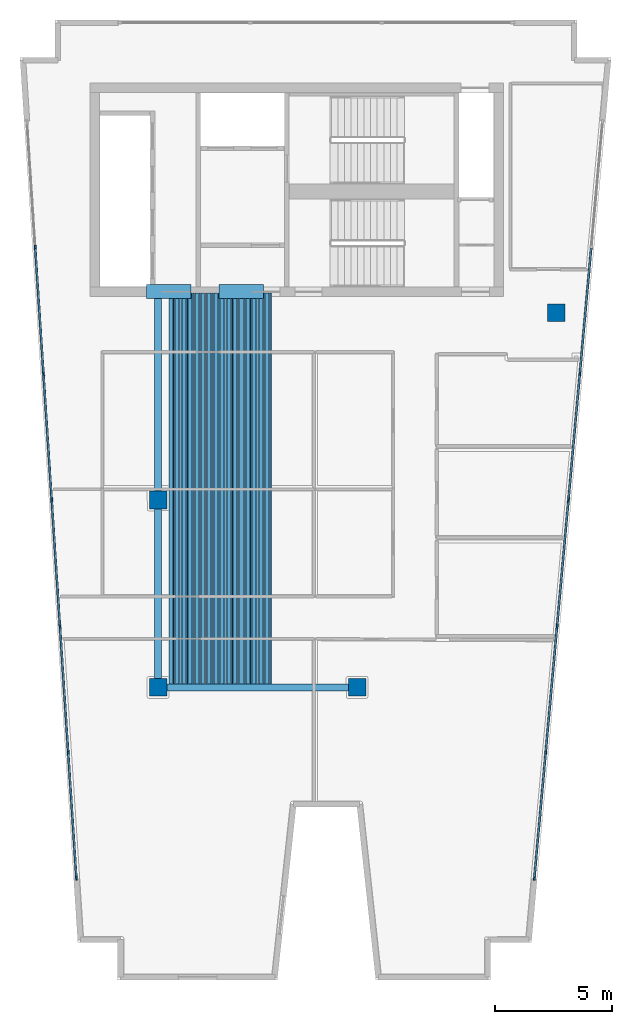
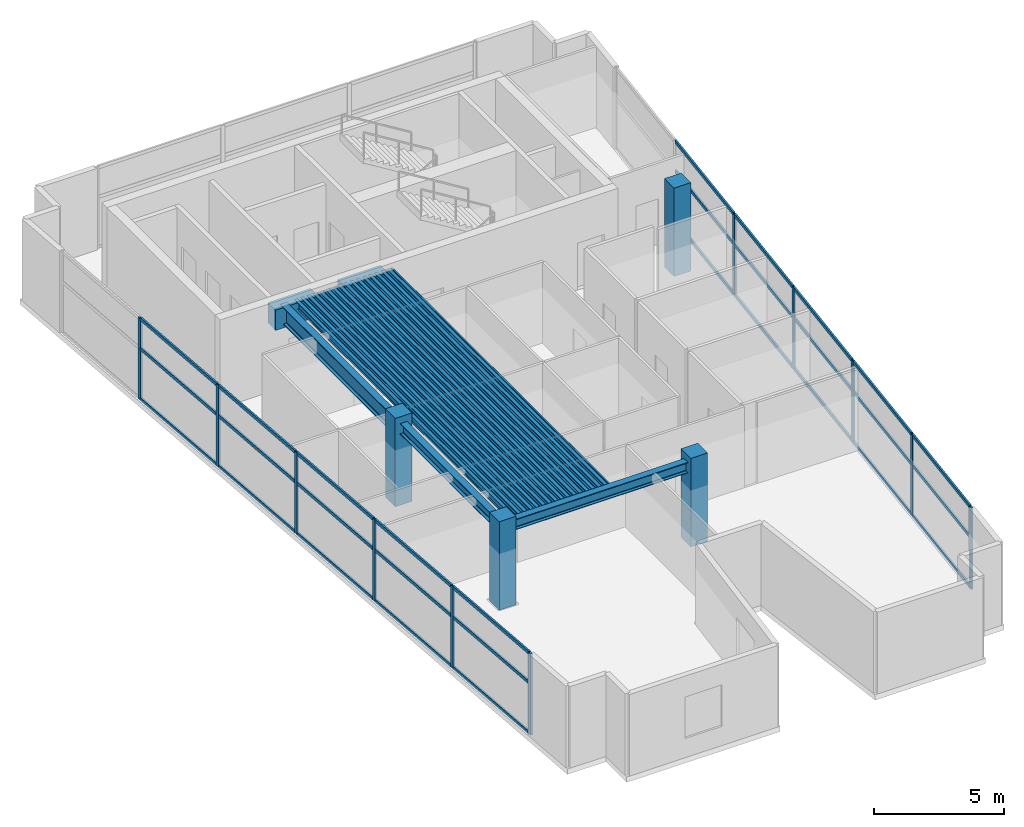
# One storey, part 1 of 7: 41 members, 37 beams, 4 columns, 2 elements without a shape of their own.
"""IFC4 building model written with IfcOpenShell, lengths in metres."""

from ifc_helpers import new_model, si_unit, direction, frame, origin, origin_2d, place, context, subcontext, project, spatial, rectangle, hollow_rectangle, i_section, extrude, material, layer, layer_set, material_profile, profile_set, type_object, element, aggregate, save


model = new_model("IFC4")

# Units and contexts
model_context = context("Model", 3, precision=1e-05, world=origin(), true_north=direction((0.0, 1.0)))
body_context = subcontext(model_context, "Body", "Model", "MODEL_VIEW")
ifc_project = project(units=[si_unit("LENGTHUNIT", "METRE"), si_unit("AREAUNIT", "SQUARE_METRE"), si_unit("VOLUMEUNIT", "CUBIC_METRE"), si_unit("PLANEANGLEUNIT", "RADIAN"), si_unit("MASSUNIT", "GRAM", prefix="KILO")], contexts=[model_context])

# Site, building, storey
site_placement = place(None, origin())
site = spatial("IfcSite", under=ifc_project, at=site_placement, CompositionType="ELEMENT")
building_placement = place(site_placement, origin())
building = spatial("IfcBuilding", under=site, at=building_placement, Name="Caeloran Harvest Quay", CompositionType="ELEMENT")
storey_placement = place(building_placement, frame((0.0, 0.0, 319.89990234375)))
storey = spatial("IfcBuildingStorey", under=building, at=storey_placement, Name="L77", CompositionType="ELEMENT", Elevation=319.89990234375)

# Columns
ifc_material_1 = material(Name="Concrete C60/75", Category="concrete")
ifc_material_profile_1 = material_profile(ifc_material_1, rectangle(XDim=0.75, YDim=0.75, at=origin_2d()), Name="RC 750x750")
ifc_profile_set_1 = profile_set([ifc_material_profile_1], Name="Concrete C60/75")
column_type = type_object("IfcColumnType", Name="COL-MC-5-RC_750x750", PredefinedType="COLUMN", material=ifc_profile_set_1)
for number, where, z_axis, x_axis, name in (
    (1, (8.5, 15.0, 0.0), (0.0, 0.0, 1.0), (1.0, 0.0, 0.0), "L77 Structural Column (8.5, 15.0)"),
    (2, (8.5, 23.0, 0.0), (0.0, 0.0, 1.0), (1.0, 0.0, 0.0), "L77 Structural Column (8.5, 23.0)"),
    (3, (17.0, 15.0, 0.0), (0.0, 0.0, 1.0), (1.0, 0.0, 0.0), "L77 Structural Column (17.0, 15.0)"),
    (4, (25.5, 31.0, 0.0), (0.0, 0.0, 1.0), (1.0, 0.0, 0.0), "L77 Structural Column (25.5, 31.0)"),
):
    element("IfcColumn", number, at=place(storey_placement, frame(where, z_axis=z_axis, x_axis=x_axis)), inside=storey, type_object=column_type, Name=name, PredefinedType="COLUMN", context=body_context, shape_type="SweptSolid", body=[
        extrude(rectangle(XDim=0.75, YDim=0.75, at=origin_2d()), origin(), (0.0, 0.0, 1.0), 4.150146484375),
    ])

# Beams
ifc_material_profile_2 = material_profile(ifc_material_1, rectangle(XDim=0.60009765625, YDim=0.949951171875, at=origin_2d()), Name="RC 600x950")
ifc_profile_set_2 = profile_set([ifc_material_profile_2], Name="Concrete C60/75")
beam_type_1 = type_object("IfcBeamType", Name="BM-CB-2-RC_600x950", PredefinedType="LINTEL", material=ifc_profile_set_2)
for number, where, z_axis, x_axis, name in (
    (5, (8.0, 31.89990234375, 3.35498046875), (1.0, 0.0, 0.0), (0.0, 1.0, 0.0), "L77 Core Coupling Beam 1"),
    (6, (11.10009765625, 31.89990234375, 3.35498046875), (1.0, 0.0, 0.0), (0.0, 1.0, 0.0), "L77 Core Coupling Beam 2"),
):
    element("IfcBeam", number, at=place(storey_placement, frame(where, z_axis=z_axis, x_axis=x_axis)), inside=storey, type_object=beam_type_1, Name=name, PredefinedType="LINTEL", context=body_context, shape_type="SweptSolid", body=[
        extrude(rectangle(XDim=0.60009765625, YDim=0.949951171875, at=origin_2d()), origin(), (0.0, 0.0, 1.0), 1.89990234375),
    ])
ifc_material_2 = material(Name="Steel S355J2", Category="steel")
ifc_material_profile_3 = material_profile(ifc_material_2, i_section(OverallWidth=0.300048828125, OverallDepth=0.800048828125, WebThickness=0.017578125, FlangeThickness=0.032958984375, FilletRadius=0.030029296875, at=origin_2d()), Name="HE 800 B")
ifc_profile_set_3 = profile_set([ifc_material_profile_3], Name="Steel S355J2")
beam_type_2 = type_object("IfcBeamType", Name="BM-PG-1-HE_800_B", PredefinedType="BEAM", material=ifc_profile_set_3)
beam_1_placement = place(storey_placement, frame((8.5, 23.0, 3.43017578125), z_axis=(0.0, 1.0, 0.0), x_axis=(-1.0, 0.0, 0.0)))
element("IfcBeam", 7, at=beam_1_placement, inside=storey, type_object=beam_type_2, Name="L77 Core South Tie Girder X=8.5", PredefinedType="BEAM", context=body_context, shape_type="SweptSolid", body=[
    extrude(i_section(OverallWidth=0.300048828125, OverallDepth=0.800048828125, WebThickness=0.017578125, FlangeThickness=0.032958984375, FilletRadius=0.030029296875, at=origin_2d()), origin(), (0.0, 0.0, 1.0), 8.85009765625),
])
ifc_material_profile_4 = material_profile(ifc_material_2, i_section(OverallWidth=0.300048828125, OverallDepth=0.5, WebThickness=0.014404296875, FlangeThickness=0.028076171875, FilletRadius=0.027099609375, at=origin_2d()), Name="HE 500 B")
ifc_profile_set_4 = profile_set([ifc_material_profile_4], Name="Steel S355J2")
beam_type_3 = type_object("IfcBeamType", Name="BM-PG-4-HE_500_B", PredefinedType="BEAM", material=ifc_profile_set_4)
beam_2_placement = place(storey_placement, frame((8.5, 15.0, 3.580078125), z_axis=(1.0, 0.0, 0.0), x_axis=(0.0, 1.0, 0.0)))
element("IfcBeam", 8, at=beam_2_placement, inside=storey, type_object=beam_type_3, Name="L77 Primary East-West Girder Y=15.0", PredefinedType="BEAM", context=body_context, shape_type="SweptSolid", body=[
    extrude(i_section(OverallWidth=0.300048828125, OverallDepth=0.5, WebThickness=0.014404296875, FlangeThickness=0.028076171875, FilletRadius=0.027099609375, at=origin_2d()), origin(), (0.0, 0.0, 1.0), 8.5),
])
beam_3_placement = place(storey_placement, frame((8.5, 15.0, 3.580078125), z_axis=(0.0, 1.0, 0.0), x_axis=(-1.0, 0.0, 0.0)))
element("IfcBeam", 9, at=beam_3_placement, inside=storey, type_object=beam_type_3, Name="L77 Primary North-South Girder X=8.5", PredefinedType="BEAM", context=body_context, shape_type="SweptSolid", body=[
    extrude(i_section(OverallWidth=0.300048828125, OverallDepth=0.5, WebThickness=0.014404296875, FlangeThickness=0.028076171875, FilletRadius=0.027099609375, at=origin_2d()), origin(), (0.0, 0.0, 1.0), 8.0),
])
ifc_material_profile_5 = material_profile(ifc_material_2, i_section(OverallWidth=0.14990234375, OverallDepth=0.300048828125, WebThickness=0.007080078125, FlangeThickness=0.0107421875, FilletRadius=0.014892578125, at=origin_2d()), Name="IPE 300")
ifc_profile_set_5 = profile_set([ifc_material_profile_5], Name="Steel S355J2")
beam_type_4 = type_object("IfcBeamType", Name="BM-SB-6-IPE_300", PredefinedType="JOIST", material=ifc_profile_set_5)
for number, where, z_axis, x_axis, name in (
    (10, (9.04833984375, 15.14501953125, 3.68017578125), (0.0, 1.0, 0.0), (-1.0, 0.0, 0.0), "L77 Secondary Composite Joist"),
    (11, (9.322509765625, 15.14501953125, 3.68017578125), (0.0, 1.0, 0.0), (-1.0, 0.0, 0.0), "L77 Secondary Composite Joist"),
    (12, (9.5966796875, 15.14501953125, 3.68017578125), (0.0, 1.0, 0.0), (-1.0, 0.0, 0.0), "L77 Secondary Composite Joist"),
    (13, (9.87109375, 15.14501953125, 3.68017578125), (0.0, 1.0, 0.0), (-1.0, 0.0, 0.0), "L77 Secondary Composite Joist"),
    (14, (10.145263671875, 15.14501953125, 3.68017578125), (0.0, 1.0, 0.0), (-1.0, 0.0, 0.0), "L77 Secondary Composite Joist"),
    (15, (10.41943359375, 15.14501953125, 3.68017578125), (0.0, 1.0, 0.0), (-1.0, 0.0, 0.0), "L77 Secondary Composite Joist"),
    (16, (10.693603515625, 15.14501953125, 3.68017578125), (0.0, 1.0, 0.0), (-1.0, 0.0, 0.0), "L77 Secondary Composite Joist"),
    (17, (10.9677734375, 15.14501953125, 3.68017578125), (0.0, 1.0, 0.0), (-1.0, 0.0, 0.0), "L77 Secondary Composite Joist"),
    (18, (11.241943359375, 15.14501953125, 3.68017578125), (0.0, 1.0, 0.0), (-1.0, 0.0, 0.0), "L77 Secondary Composite Joist"),
    (19, (11.51611328125, 15.14501953125, 3.68017578125), (0.0, 1.0, 0.0), (-1.0, 0.0, 0.0), "L77 Secondary Composite Joist"),
    (20, (11.790283203125, 15.14501953125, 3.68017578125), (0.0, 1.0, 0.0), (-1.0, 0.0, 0.0), "L77 Secondary Composite Joist"),
    (21, (12.064453125, 15.14501953125, 3.68017578125), (0.0, 1.0, 0.0), (-1.0, 0.0, 0.0), "L77 Secondary Composite Joist"),
    (22, (12.338623046875, 15.14501953125, 3.68017578125), (0.0, 1.0, 0.0), (-1.0, 0.0, 0.0), "L77 Secondary Composite Joist"),
    (23, (12.61279296875, 15.14501953125, 3.68017578125), (0.0, 1.0, 0.0), (-1.0, 0.0, 0.0), "L77 Secondary Composite Joist"),
    (24, (12.88720703125, 15.14501953125, 3.68017578125), (0.0, 1.0, 0.0), (-1.0, 0.0, 0.0), "L77 Secondary Composite Joist"),
    (25, (13.161376953125, 15.14501953125, 3.68017578125), (0.0, 1.0, 0.0), (-1.0, 0.0, 0.0), "L77 Secondary Composite Joist"),
):
    element("IfcBeam", number, at=place(storey_placement, frame(where, z_axis=z_axis, x_axis=x_axis)), inside=storey, type_object=beam_type_4, Name=name, PredefinedType="JOIST", context=body_context, shape_type="SweptSolid", body=[
        extrude(i_section(OverallWidth=0.14990234375, OverallDepth=0.300048828125, WebThickness=0.007080078125, FlangeThickness=0.0107421875, FilletRadius=0.014892578125, at=origin_2d()), origin(), (0.0, 0.0, 1.0), 16.705078125),
    ])
ifc_material_profile_6 = material_profile(ifc_material_2, hollow_rectangle(XDim=0.080078125, YDim=0.199951171875, WallThickness=0.006103515625, InnerFilletRadius=0.006103515625, OuterFilletRadius=0.009033203125, at=origin_2d()), Name="RHS 200x80x6")
ifc_profile_set_6 = profile_set([ifc_material_profile_6], Name="Steel S355J2")
beam_type_5 = type_object("IfcBeamType", Name="BM-SB-7-RHS_200x80x6", PredefinedType="JOIST", material=ifc_profile_set_6)
for number, where, z_axis, x_axis, name in (
    (26, (9.185546875, 15.14501953125, 3.72998046875), (0.0, 1.0, 0.0), (-1.0, 0.0, 0.0), "L77 Secondary Composite Joist"),
    (27, (9.459716796875, 15.14501953125, 3.72998046875), (0.0, 1.0, 0.0), (-1.0, 0.0, 0.0), "L77 Secondary Composite Joist"),
    (28, (9.73388671875, 15.14501953125, 3.72998046875), (0.0, 1.0, 0.0), (-1.0, 0.0, 0.0), "L77 Secondary Composite Joist"),
    (29, (10.008056640625, 15.14501953125, 3.72998046875), (0.0, 1.0, 0.0), (-1.0, 0.0, 0.0), "L77 Secondary Composite Joist"),
    (30, (10.2822265625, 15.14501953125, 3.72998046875), (0.0, 1.0, 0.0), (-1.0, 0.0, 0.0), "L77 Secondary Composite Joist"),
    (31, (10.556396484375, 15.14501953125, 3.72998046875), (0.0, 1.0, 0.0), (-1.0, 0.0, 0.0), "L77 Secondary Composite Joist"),
    (32, (10.83056640625, 15.14501953125, 3.72998046875), (0.0, 1.0, 0.0), (-1.0, 0.0, 0.0), "L77 Secondary Composite Joist"),
    (33, (11.104736328125, 15.14501953125, 3.72998046875), (0.0, 1.0, 0.0), (-1.0, 0.0, 0.0), "L77 Secondary Composite Joist"),
    (34, (11.37890625, 15.14501953125, 3.72998046875), (0.0, 1.0, 0.0), (-1.0, 0.0, 0.0), "L77 Secondary Composite Joist"),
    (35, (11.6533203125, 15.14501953125, 3.72998046875), (0.0, 1.0, 0.0), (-1.0, 0.0, 0.0), "L77 Secondary Composite Joist"),
    (36, (11.927490234375, 15.14501953125, 3.72998046875), (0.0, 1.0, 0.0), (-1.0, 0.0, 0.0), "L77 Secondary Composite Joist"),
    (37, (12.20166015625, 15.14501953125, 3.72998046875), (0.0, 1.0, 0.0), (-1.0, 0.0, 0.0), "L77 Secondary Composite Joist"),
    (38, (12.475830078125, 15.14501953125, 3.72998046875), (0.0, 1.0, 0.0), (-1.0, 0.0, 0.0), "L77 Secondary Composite Joist"),
    (39, (12.75, 15.14501953125, 3.72998046875), (0.0, 1.0, 0.0), (-1.0, 0.0, 0.0), "L77 Secondary Composite Joist"),
    (40, (13.024169921875, 15.14501953125, 3.72998046875), (0.0, 1.0, 0.0), (-1.0, 0.0, 0.0), "L77 Secondary Composite Joist"),
    (41, (13.29833984375, 15.14501953125, 3.72998046875), (0.0, 1.0, 0.0), (-1.0, 0.0, 0.0), "L77 Secondary Composite Joist"),
):
    element("IfcBeam", number, at=place(storey_placement, frame(where, z_axis=z_axis, x_axis=x_axis)), inside=storey, type_object=beam_type_5, Name=name, PredefinedType="JOIST", context=body_context, shape_type="SweptSolid", body=[
        extrude(hollow_rectangle(XDim=0.080078125, YDim=0.199951171875, WallThickness=0.006103515625, InnerFilletRadius=0.006103515625, OuterFilletRadius=0.009033203125, at=origin_2d()), origin(), (0.0, 0.0, 1.0), 16.705078125),
    ])

# Curtain wall, members
ifc_material_3 = material(Name="Aluminium 6063-T6 and Low-E Glazing", Category="aluminium")
ifc_layer = layer(ifc_material_3, 0.239990234375, Name="Aluminium 6063-T6 and Low-E Glazing")
ifc_layer_set = layer_set([ifc_layer], Name="Aluminium 6063-T6 and Low-E Glazing")
curtain_wall_type = type_object("IfcCurtainWallType", Name="CW-SYS-CW-7", PredefinedType="USERDEFINED", material=ifc_layer_set)
curtain_wall_1_placement = place(storey_placement, origin())
curtain_wall_1 = element("IfcCurtainWall", 42, at=curtain_wall_1_placement, inside=storey, type_object=curtain_wall_type, Name="L77 Unitised Curtain Wall CW-7 Run 3", ObjectType="CURTAIN_WALL", PredefinedType="USERDEFINED")
ifc_material_4 = material(Name="Aluminium 6063-T6", Category="aluminium")
ifc_material_profile_7 = material_profile(ifc_material_4, rectangle(XDim=0.080078125, YDim=0.179931640625, at=origin_2d()), Name="CW-MULLION-180")
ifc_profile_set_7 = profile_set([ifc_material_profile_7], Name="Aluminium 6063-T6")
member_type_1 = type_object("IfcMemberType", Name="CW-MULLION-180", PredefinedType="MULLION", material=ifc_profile_set_7)
member_1_placement = place(storey_placement, frame((5.013427734375, 6.8544921875, 0.0), z_axis=(0.0, 0.0, 1.0), x_axis=(-0.997874401106, -0.065166552901, 0.0)))
member_1 = element("IfcMember", 43, at=member_1_placement, type_object=member_type_1, Name="CW-7 mullion 1", PredefinedType="MULLION", context=body_context, shape_type="SweptSolid", body=[
    extrude(rectangle(XDim=0.080078125, YDim=0.179931640625, at=origin_2d()), origin(), (0.0, 0.0, 1.0), 3.830078125),
])
member_2_placement = place(storey_placement, frame((4.66357421875, 12.209716796875, 0.0), z_axis=(0.0, 0.0, 1.0), x_axis=(-0.997874401106, -0.065166552901, 0.0)))
member_2 = element("IfcMember", 44, at=member_2_placement, type_object=member_type_1, Name="CW-7 mullion 2", PredefinedType="MULLION", context=body_context, shape_type="SweptSolid", body=[
    extrude(rectangle(XDim=0.080078125, YDim=0.179931640625, at=origin_2d()), origin(), (0.0, 0.0, 1.0), 3.830078125),
])
member_3_placement = place(storey_placement, frame((4.311279296875, 17.604736328125, 0.0), z_axis=(0.0, 0.0, 1.0), x_axis=(-0.997874401106, -0.065166552901, 0.0)))
member_3 = element("IfcMember", 45, at=member_3_placement, type_object=member_type_1, Name="CW-7 mullion 3", PredefinedType="MULLION", context=body_context, shape_type="SweptSolid", body=[
    extrude(rectangle(XDim=0.080078125, YDim=0.179931640625, at=origin_2d()), origin(), (0.0, 0.0, 1.0), 3.830078125),
])
member_4_placement = place(storey_placement, frame((3.958984375, 23.0, 0.0), z_axis=(0.0, 0.0, 1.0), x_axis=(-0.997874401106, -0.065166552901, 0.0)))
member_4 = element("IfcMember", 46, at=member_4_placement, type_object=member_type_1, Name="CW-7 mullion 4", PredefinedType="MULLION", context=body_context, shape_type="SweptSolid", body=[
    extrude(rectangle(XDim=0.080078125, YDim=0.179931640625, at=origin_2d()), origin(), (0.0, 0.0, 1.0), 3.830078125),
])
member_5_placement = place(storey_placement, frame((3.606689453125, 28.395263671875, 0.0), z_axis=(0.0, 0.0, 1.0), x_axis=(-0.997874401106, -0.065166552901, 0.0)))
member_5 = element("IfcMember", 47, at=member_5_placement, type_object=member_type_1, Name="CW-7 mullion 5", PredefinedType="MULLION", context=body_context, shape_type="SweptSolid", body=[
    extrude(rectangle(XDim=0.080078125, YDim=0.179931640625, at=origin_2d()), origin(), (0.0, 0.0, 1.0), 3.830078125),
])
member_6_placement = place(storey_placement, frame((3.25439453125, 33.790283203125, 0.0), z_axis=(0.0, 0.0, 1.0), x_axis=(-0.997874401106, -0.065166552901, 0.0)))
member_6 = element("IfcMember", 48, at=member_6_placement, type_object=member_type_1, Name="CW-7 mullion 6", PredefinedType="MULLION", context=body_context, shape_type="SweptSolid", body=[
    extrude(rectangle(XDim=0.080078125, YDim=0.179931640625, at=origin_2d()), origin(), (0.0, 0.0, 1.0), 3.830078125),
])

curtain_wall_2_placement = place(storey_placement, origin())
curtain_wall_2 = element("IfcCurtainWall", 49, at=curtain_wall_2_placement, inside=storey, type_object=curtain_wall_type, Name="L77 Unitised Curtain Wall CW-7 Run 9", ObjectType="CURTAIN_WALL", PredefinedType="USERDEFINED")
member_7_placement = place(storey_placement, frame((26.517578125, 28.396728515625, 0.0), z_axis=(0.0, 0.0, 1.0), x_axis=(0.995957918918, -0.089821065146, 0.0)))
member_7 = element("IfcMember", 50, at=member_7_placement, type_object=member_type_1, Name="CW-7 mullion 3", PredefinedType="MULLION", context=body_context, shape_type="SweptSolid", body=[
    extrude(rectangle(XDim=0.080078125, YDim=0.179931640625, at=origin_2d()), origin(), (0.0, 0.0, 1.0), 3.830078125),
])
member_8_placement = place(storey_placement, frame((26.03076171875, 23.0, 0.0), z_axis=(0.0, 0.0, 1.0), x_axis=(0.995957918918, -0.089821065146, 0.0)))
member_8 = element("IfcMember", 51, at=member_8_placement, type_object=member_type_1, Name="CW-7 mullion 4", PredefinedType="MULLION", context=body_context, shape_type="SweptSolid", body=[
    extrude(rectangle(XDim=0.080078125, YDim=0.179931640625, at=origin_2d()), origin(), (0.0, 0.0, 1.0), 3.830078125),
])
member_9_placement = place(storey_placement, frame((25.5439453125, 17.603271484375, 0.0), z_axis=(0.0, 0.0, 1.0), x_axis=(0.995957918918, -0.089821065146, 0.0)))
member_9 = element("IfcMember", 52, at=member_9_placement, type_object=member_type_1, Name="CW-7 mullion 5", PredefinedType="MULLION", context=body_context, shape_type="SweptSolid", body=[
    extrude(rectangle(XDim=0.080078125, YDim=0.179931640625, at=origin_2d()), origin(), (0.0, 0.0, 1.0), 3.830078125),
])
member_10_placement = place(storey_placement, frame((25.057373046875, 12.206298828125, 0.0), z_axis=(0.0, 0.0, 1.0), x_axis=(0.995957918918, -0.089821065146, 0.0)))
member_10 = element("IfcMember", 53, at=member_10_placement, type_object=member_type_1, Name="CW-7 mullion 6", PredefinedType="MULLION", context=body_context, shape_type="SweptSolid", body=[
    extrude(rectangle(XDim=0.080078125, YDim=0.179931640625, at=origin_2d()), origin(), (0.0, 0.0, 1.0), 3.830078125),
])
member_11_placement = place(storey_placement, frame((24.57421875, 6.849365234375, 0.0), z_axis=(0.0, 0.0, 1.0), x_axis=(0.995957918918, -0.089821065146, 0.0)))
member_11 = element("IfcMember", 54, at=member_11_placement, type_object=member_type_1, Name="CW-7 mullion 7", PredefinedType="MULLION", context=body_context, shape_type="SweptSolid", body=[
    extrude(rectangle(XDim=0.080078125, YDim=0.179931640625, at=origin_2d()), origin(), (0.0, 0.0, 1.0), 3.830078125),
])

# Member
ifc_material_profile_8 = material_profile(ifc_material_4, rectangle(XDim=0.080078125, YDim=0.14990234375, at=origin_2d()), Name="CW-TRANSOM-150")
ifc_profile_set_8 = profile_set([ifc_material_profile_8], Name="Aluminium 6063-T6")
member_type_2 = type_object("IfcMemberType", Name="CW-TRANSOM-150", PredefinedType="USERDEFINED", material=ifc_profile_set_8)
member_12_placement = place(storey_placement, frame((5.0107421875, 6.894287109375, 0.0400390625), z_axis=(-0.065161110765, 0.997874756492, 0.0), x_axis=(-0.997874756492, -0.065161110765, 0.0)))
member_12 = element("IfcMember", 55, at=member_12_placement, type_object=member_type_2, Name="CW-7 transom 1.1", ObjectType="TRANSOM", PredefinedType="USERDEFINED", context=body_context, shape_type="SweptSolid", body=[
    extrude(rectangle(XDim=0.080078125, YDim=0.14990234375, at=origin_2d()), origin(), (0.0, 0.0, 1.0), 5.28662109375),
])

member_13_placement = place(storey_placement, frame((5.0107421875, 6.894287109375, 2.400146484375), z_axis=(-0.065161110765, 0.997874756492, 0.0), x_axis=(-0.997874756492, -0.065161110765, 0.0)))
member_13 = element("IfcMember", 56, at=member_13_placement, type_object=member_type_2, Name="CW-7 transom 1.2", ObjectType="TRANSOM", PredefinedType="USERDEFINED", context=body_context, shape_type="SweptSolid", body=[
    extrude(rectangle(XDim=0.080078125, YDim=0.14990234375, at=origin_2d()), origin(), (0.0, 0.0, 1.0), 5.28662109375),
])

member_14_placement = place(storey_placement, frame((5.0107421875, 6.894287109375, 3.7900390625), z_axis=(-0.065161110765, 0.997874756492, 0.0), x_axis=(-0.997874756492, -0.065161110765, 0.0)))
member_14 = element("IfcMember", 57, at=member_14_placement, type_object=member_type_2, Name="CW-7 transom 1.3", ObjectType="TRANSOM", PredefinedType="USERDEFINED", context=body_context, shape_type="SweptSolid", body=[
    extrude(rectangle(XDim=0.080078125, YDim=0.14990234375, at=origin_2d()), origin(), (0.0, 0.0, 1.0), 5.28662109375),
])

member_15_placement = place(storey_placement, frame((4.6611328125, 12.24951171875, 0.0400390625), z_axis=(-0.065174383207, 0.997873889714, 0.0), x_axis=(-0.997873889714, -0.065174383207, 0.0)))
member_15 = element("IfcMember", 58, at=member_15_placement, type_object=member_type_2, Name="CW-7 transom 2.1", ObjectType="TRANSOM", PredefinedType="USERDEFINED", context=body_context, shape_type="SweptSolid", body=[
    extrude(rectangle(XDim=0.080078125, YDim=0.14990234375, at=origin_2d()), origin(), (0.0, 0.0, 1.0), 5.32666015625),
])

member_16_placement = place(storey_placement, frame((4.6611328125, 12.24951171875, 2.400146484375), z_axis=(-0.065174383207, 0.997873889714, 0.0), x_axis=(-0.997873889714, -0.065174383207, 0.0)))
member_16 = element("IfcMember", 59, at=member_16_placement, type_object=member_type_2, Name="CW-7 transom 2.2", ObjectType="TRANSOM", PredefinedType="USERDEFINED", context=body_context, shape_type="SweptSolid", body=[
    extrude(rectangle(XDim=0.080078125, YDim=0.14990234375, at=origin_2d()), origin(), (0.0, 0.0, 1.0), 5.32666015625),
])

member_17_placement = place(storey_placement, frame((4.6611328125, 12.24951171875, 3.7900390625), z_axis=(-0.065174383207, 0.997873889714, 0.0), x_axis=(-0.997873889714, -0.065174383207, 0.0)))
member_17 = element("IfcMember", 60, at=member_17_placement, type_object=member_type_2, Name="CW-7 transom 2.3", ObjectType="TRANSOM", PredefinedType="USERDEFINED", context=body_context, shape_type="SweptSolid", body=[
    extrude(rectangle(XDim=0.080078125, YDim=0.14990234375, at=origin_2d()), origin(), (0.0, 0.0, 1.0), 5.32666015625),
])

member_18_placement = place(storey_placement, frame((4.308837890625, 17.644775390625, 0.0400390625), z_axis=(-0.065174383207, 0.997873889714, 0.0), x_axis=(-0.997873889714, -0.065174383207, 0.0)))
member_18 = element("IfcMember", 61, at=member_18_placement, type_object=member_type_2, Name="CW-7 transom 3.1", ObjectType="TRANSOM", PredefinedType="USERDEFINED", context=body_context, shape_type="SweptSolid", body=[
    extrude(rectangle(XDim=0.080078125, YDim=0.14990234375, at=origin_2d()), origin(), (0.0, 0.0, 1.0), 5.32666015625),
])

member_19_placement = place(storey_placement, frame((4.308837890625, 17.644775390625, 2.400146484375), z_axis=(-0.065174383207, 0.997873889714, 0.0), x_axis=(-0.997873889714, -0.065174383207, 0.0)))
member_19 = element("IfcMember", 62, at=member_19_placement, type_object=member_type_2, Name="CW-7 transom 3.2", ObjectType="TRANSOM", PredefinedType="USERDEFINED", context=body_context, shape_type="SweptSolid", body=[
    extrude(rectangle(XDim=0.080078125, YDim=0.14990234375, at=origin_2d()), origin(), (0.0, 0.0, 1.0), 5.32666015625),
])

member_20_placement = place(storey_placement, frame((4.308837890625, 17.644775390625, 3.7900390625), z_axis=(-0.065174383207, 0.997873889714, 0.0), x_axis=(-0.997873889714, -0.065174383207, 0.0)))
member_20 = element("IfcMember", 63, at=member_20_placement, type_object=member_type_2, Name="CW-7 transom 3.3", ObjectType="TRANSOM", PredefinedType="USERDEFINED", context=body_context, shape_type="SweptSolid", body=[
    extrude(rectangle(XDim=0.080078125, YDim=0.14990234375, at=origin_2d()), origin(), (0.0, 0.0, 1.0), 5.32666015625),
])

member_21_placement = place(storey_placement, frame((3.956298828125, 23.039794921875, 0.0400390625), z_axis=(-0.065128744787, 0.99787686946, 0.0), x_axis=(-0.99787686946, -0.065128744787, 0.0)))
member_21 = element("IfcMember", 64, at=member_21_placement, type_object=member_type_2, Name="CW-7 transom 4.1", ObjectType="TRANSOM", PredefinedType="USERDEFINED", context=body_context, shape_type="SweptSolid", body=[
    extrude(rectangle(XDim=0.080078125, YDim=0.14990234375, at=origin_2d()), origin(), (0.0, 0.0, 1.0), 5.32666015625),
])

member_22_placement = place(storey_placement, frame((3.956298828125, 23.039794921875, 2.400146484375), z_axis=(-0.065128744787, 0.99787686946, 0.0), x_axis=(-0.99787686946, -0.065128744787, 0.0)))
member_22 = element("IfcMember", 65, at=member_22_placement, type_object=member_type_2, Name="CW-7 transom 4.2", ObjectType="TRANSOM", PredefinedType="USERDEFINED", context=body_context, shape_type="SweptSolid", body=[
    extrude(rectangle(XDim=0.080078125, YDim=0.14990234375, at=origin_2d()), origin(), (0.0, 0.0, 1.0), 5.32666015625),
])

member_23_placement = place(storey_placement, frame((3.956298828125, 23.039794921875, 3.7900390625), z_axis=(-0.065128744787, 0.99787686946, 0.0), x_axis=(-0.99787686946, -0.065128744787, 0.0)))
member_23 = element("IfcMember", 66, at=member_23_placement, type_object=member_type_2, Name="CW-7 transom 4.3", ObjectType="TRANSOM", PredefinedType="USERDEFINED", context=body_context, shape_type="SweptSolid", body=[
    extrude(rectangle(XDim=0.080078125, YDim=0.14990234375, at=origin_2d()), origin(), (0.0, 0.0, 1.0), 5.32666015625),
])

member_24_placement = place(storey_placement, frame((3.60400390625, 28.43505859375, 0.0400390625), z_axis=(-0.065174383207, 0.997873889714, 0.0), x_axis=(-0.997873889714, -0.065174383207, 0.0)))
member_24 = element("IfcMember", 67, at=member_24_placement, type_object=member_type_2, Name="CW-7 transom 5.1", ObjectType="TRANSOM", PredefinedType="USERDEFINED", context=body_context, shape_type="SweptSolid", body=[
    extrude(rectangle(XDim=0.080078125, YDim=0.14990234375, at=origin_2d()), origin(), (0.0, 0.0, 1.0), 5.32666015625),
])

member_25_placement = place(storey_placement, frame((3.60400390625, 28.43505859375, 2.400146484375), z_axis=(-0.065174383207, 0.997873889714, 0.0), x_axis=(-0.997873889714, -0.065174383207, 0.0)))
member_25 = element("IfcMember", 68, at=member_25_placement, type_object=member_type_2, Name="CW-7 transom 5.2", ObjectType="TRANSOM", PredefinedType="USERDEFINED", context=body_context, shape_type="SweptSolid", body=[
    extrude(rectangle(XDim=0.080078125, YDim=0.14990234375, at=origin_2d()), origin(), (0.0, 0.0, 1.0), 5.32666015625),
])

member_26_placement = place(storey_placement, frame((3.60400390625, 28.43505859375, 3.7900390625), z_axis=(-0.065174383207, 0.997873889714, 0.0), x_axis=(-0.997873889714, -0.065174383207, 0.0)))
member_26 = element("IfcMember", 69, at=member_26_placement, type_object=member_type_2, Name="CW-7 transom 5.3", ObjectType="TRANSOM", PredefinedType="USERDEFINED", context=body_context, shape_type="SweptSolid", body=[
    extrude(rectangle(XDim=0.080078125, YDim=0.14990234375, at=origin_2d()), origin(), (0.0, 0.0, 1.0), 5.32666015625),
])

aggregate(curtain_wall_1, [member_1, member_2, member_3, member_4, member_5, member_6, member_12, member_13, member_14, member_15, member_16, member_17, member_18, member_19, member_20, member_21, member_22, member_23, member_24, member_25, member_26])

member_27_placement = place(storey_placement, frame((27.00048828125, 33.75390625, 0.0400390625), z_axis=(-0.089814159323, -0.9959585417, 0.0), x_axis=(0.9959585417, -0.089814159323, 0.0)))
member_27 = element("IfcMember", 70, at=member_27_placement, type_object=member_type_2, Name="CW-7 transom 2.1", ObjectType="TRANSOM", PredefinedType="USERDEFINED", context=body_context, shape_type="SweptSolid", body=[
    extrude(rectangle(XDim=0.080078125, YDim=0.14990234375, at=origin_2d()), origin(), (0.0, 0.0, 1.0), 5.338623046875),
])

member_28_placement = place(storey_placement, frame((27.00048828125, 33.75390625, 2.400146484375), z_axis=(-0.089814159323, -0.9959585417, 0.0), x_axis=(0.9959585417, -0.089814159323, 0.0)))
member_28 = element("IfcMember", 71, at=member_28_placement, type_object=member_type_2, Name="CW-7 transom 2.2", ObjectType="TRANSOM", PredefinedType="USERDEFINED", context=body_context, shape_type="SweptSolid", body=[
    extrude(rectangle(XDim=0.080078125, YDim=0.14990234375, at=origin_2d()), origin(), (0.0, 0.0, 1.0), 5.338623046875),
])

member_29_placement = place(storey_placement, frame((27.00048828125, 33.75390625, 3.7900390625), z_axis=(-0.089814159323, -0.9959585417, 0.0), x_axis=(0.9959585417, -0.089814159323, 0.0)))
member_29 = element("IfcMember", 72, at=member_29_placement, type_object=member_type_2, Name="CW-7 transom 2.3", ObjectType="TRANSOM", PredefinedType="USERDEFINED", context=body_context, shape_type="SweptSolid", body=[
    extrude(rectangle(XDim=0.080078125, YDim=0.14990234375, at=origin_2d()), origin(), (0.0, 0.0, 1.0), 5.338623046875),
])

member_30_placement = place(storey_placement, frame((26.513916015625, 28.35693359375, 0.0400390625), z_axis=(-0.089814159323, -0.9959585417, 0.0), x_axis=(0.9959585417, -0.089814159323, 0.0)))
member_30 = element("IfcMember", 73, at=member_30_placement, type_object=member_type_2, Name="CW-7 transom 3.1", ObjectType="TRANSOM", PredefinedType="USERDEFINED", context=body_context, shape_type="SweptSolid", body=[
    extrude(rectangle(XDim=0.080078125, YDim=0.14990234375, at=origin_2d()), origin(), (0.0, 0.0, 1.0), 5.338623046875),
])

member_31_placement = place(storey_placement, frame((26.513916015625, 28.35693359375, 2.400146484375), z_axis=(-0.089814159323, -0.9959585417, 0.0), x_axis=(0.9959585417, -0.089814159323, 0.0)))
member_31 = element("IfcMember", 74, at=member_31_placement, type_object=member_type_2, Name="CW-7 transom 3.2", ObjectType="TRANSOM", PredefinedType="USERDEFINED", context=body_context, shape_type="SweptSolid", body=[
    extrude(rectangle(XDim=0.080078125, YDim=0.14990234375, at=origin_2d()), origin(), (0.0, 0.0, 1.0), 5.338623046875),
])

member_32_placement = place(storey_placement, frame((26.513916015625, 28.35693359375, 3.7900390625), z_axis=(-0.089814159323, -0.9959585417, 0.0), x_axis=(0.9959585417, -0.089814159323, 0.0)))
member_32 = element("IfcMember", 75, at=member_32_placement, type_object=member_type_2, Name="CW-7 transom 3.3", ObjectType="TRANSOM", PredefinedType="USERDEFINED", context=body_context, shape_type="SweptSolid", body=[
    extrude(rectangle(XDim=0.080078125, YDim=0.14990234375, at=origin_2d()), origin(), (0.0, 0.0, 1.0), 5.338623046875),
])

member_33_placement = place(storey_placement, frame((26.027099609375, 22.960205078125, 0.0400390625), z_axis=(-0.089814159323, -0.9959585417, 0.0), x_axis=(0.9959585417, -0.089814159323, 0.0)))
member_33 = element("IfcMember", 76, at=member_33_placement, type_object=member_type_2, Name="CW-7 transom 4.1", ObjectType="TRANSOM", PredefinedType="USERDEFINED", context=body_context, shape_type="SweptSolid", body=[
    extrude(rectangle(XDim=0.080078125, YDim=0.14990234375, at=origin_2d()), origin(), (0.0, 0.0, 1.0), 5.338623046875),
])

member_34_placement = place(storey_placement, frame((26.027099609375, 22.960205078125, 2.400146484375), z_axis=(-0.089814159323, -0.9959585417, 0.0), x_axis=(0.9959585417, -0.089814159323, 0.0)))
member_34 = element("IfcMember", 77, at=member_34_placement, type_object=member_type_2, Name="CW-7 transom 4.2", ObjectType="TRANSOM", PredefinedType="USERDEFINED", context=body_context, shape_type="SweptSolid", body=[
    extrude(rectangle(XDim=0.080078125, YDim=0.14990234375, at=origin_2d()), origin(), (0.0, 0.0, 1.0), 5.338623046875),
])

member_35_placement = place(storey_placement, frame((26.027099609375, 22.960205078125, 3.7900390625), z_axis=(-0.089814159323, -0.9959585417, 0.0), x_axis=(0.9959585417, -0.089814159323, 0.0)))
member_35 = element("IfcMember", 78, at=member_35_placement, type_object=member_type_2, Name="CW-7 transom 4.3", ObjectType="TRANSOM", PredefinedType="USERDEFINED", context=body_context, shape_type="SweptSolid", body=[
    extrude(rectangle(XDim=0.080078125, YDim=0.14990234375, at=origin_2d()), origin(), (0.0, 0.0, 1.0), 5.338623046875),
])

member_36_placement = place(storey_placement, frame((25.54052734375, 17.563232421875, 0.0400390625), z_axis=(-0.089859520381, -0.995954450061, 0.0), x_axis=(0.995954450061, -0.089859520381, 0.0)))
member_36 = element("IfcMember", 79, at=member_36_placement, type_object=member_type_2, Name="CW-7 transom 5.1", ObjectType="TRANSOM", PredefinedType="USERDEFINED", context=body_context, shape_type="SweptSolid", body=[
    extrude(rectangle(XDim=0.080078125, YDim=0.14990234375, at=origin_2d()), origin(), (0.0, 0.0, 1.0), 5.338623046875),
])

member_37_placement = place(storey_placement, frame((25.54052734375, 17.563232421875, 2.400146484375), z_axis=(-0.089859520381, -0.995954450061, 0.0), x_axis=(0.995954450061, -0.089859520381, 0.0)))
member_37 = element("IfcMember", 80, at=member_37_placement, type_object=member_type_2, Name="CW-7 transom 5.2", ObjectType="TRANSOM", PredefinedType="USERDEFINED", context=body_context, shape_type="SweptSolid", body=[
    extrude(rectangle(XDim=0.080078125, YDim=0.14990234375, at=origin_2d()), origin(), (0.0, 0.0, 1.0), 5.338623046875),
])

member_38_placement = place(storey_placement, frame((25.54052734375, 17.563232421875, 3.7900390625), z_axis=(-0.089859520381, -0.995954450061, 0.0), x_axis=(0.995954450061, -0.089859520381, 0.0)))
member_38 = element("IfcMember", 81, at=member_38_placement, type_object=member_type_2, Name="CW-7 transom 5.3", ObjectType="TRANSOM", PredefinedType="USERDEFINED", context=body_context, shape_type="SweptSolid", body=[
    extrude(rectangle(XDim=0.080078125, YDim=0.14990234375, at=origin_2d()), origin(), (0.0, 0.0, 1.0), 5.338623046875),
])

member_39_placement = place(storey_placement, frame((25.0537109375, 12.16650390625, 0.0400390625), z_axis=(-0.089800407778, -0.995959781699, 0.0), x_axis=(0.995959781699, -0.089800407778, 0.0)))
member_39 = element("IfcMember", 82, at=member_39_placement, type_object=member_type_2, Name="CW-7 transom 6.1", ObjectType="TRANSOM", PredefinedType="USERDEFINED", context=body_context, shape_type="SweptSolid", body=[
    extrude(rectangle(XDim=0.080078125, YDim=0.14990234375, at=origin_2d()), origin(), (0.0, 0.0, 1.0), 5.298828125),
])

member_40_placement = place(storey_placement, frame((25.0537109375, 12.16650390625, 2.400146484375), z_axis=(-0.089800407778, -0.995959781699, 0.0), x_axis=(0.995959781699, -0.089800407778, 0.0)))
member_40 = element("IfcMember", 83, at=member_40_placement, type_object=member_type_2, Name="CW-7 transom 6.2", ObjectType="TRANSOM", PredefinedType="USERDEFINED", context=body_context, shape_type="SweptSolid", body=[
    extrude(rectangle(XDim=0.080078125, YDim=0.14990234375, at=origin_2d()), origin(), (0.0, 0.0, 1.0), 5.298828125),
])

member_41_placement = place(storey_placement, frame((25.0537109375, 12.16650390625, 3.7900390625), z_axis=(-0.089800407778, -0.995959781699, 0.0), x_axis=(0.995959781699, -0.089800407778, 0.0)))
member_41 = element("IfcMember", 84, at=member_41_placement, type_object=member_type_2, Name="CW-7 transom 6.3", ObjectType="TRANSOM", PredefinedType="USERDEFINED", context=body_context, shape_type="SweptSolid", body=[
    extrude(rectangle(XDim=0.080078125, YDim=0.14990234375, at=origin_2d()), origin(), (0.0, 0.0, 1.0), 5.298828125),
])

aggregate(curtain_wall_2, [member_7, member_8, member_9, member_10, member_11, member_27, member_28, member_29, member_30, member_31, member_32, member_33, member_34, member_35, member_36, member_37, member_38, member_39, member_40, member_41])

save(model, "model.ifc")
